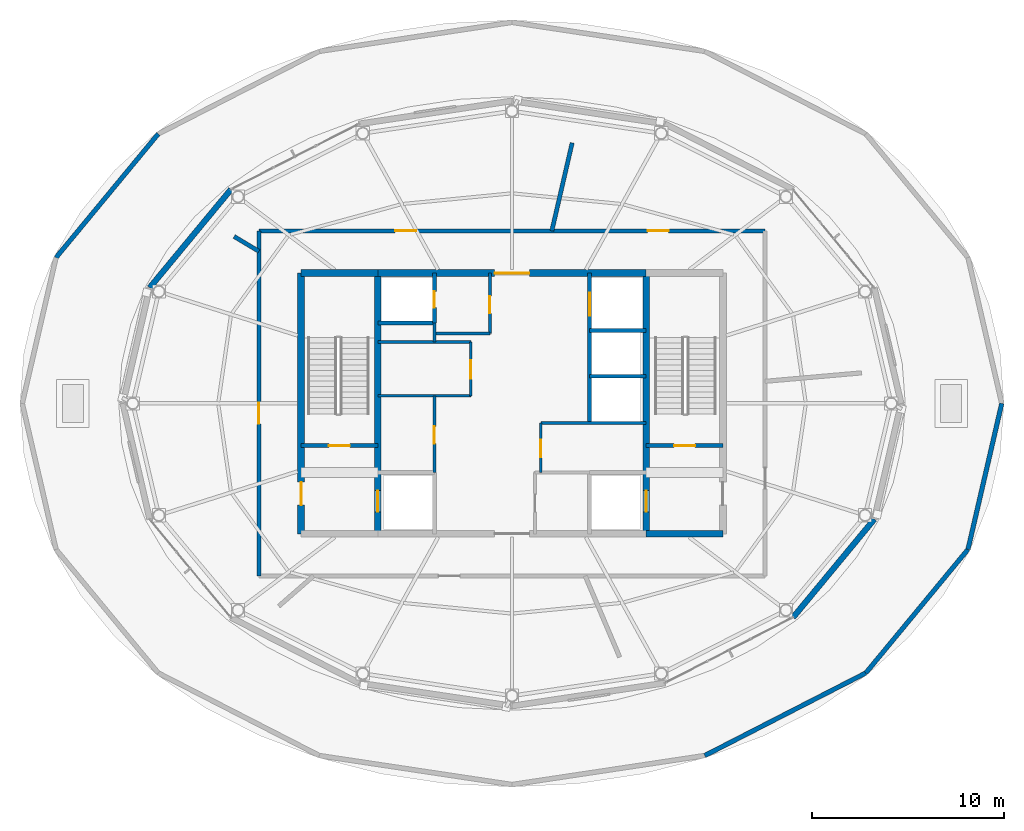
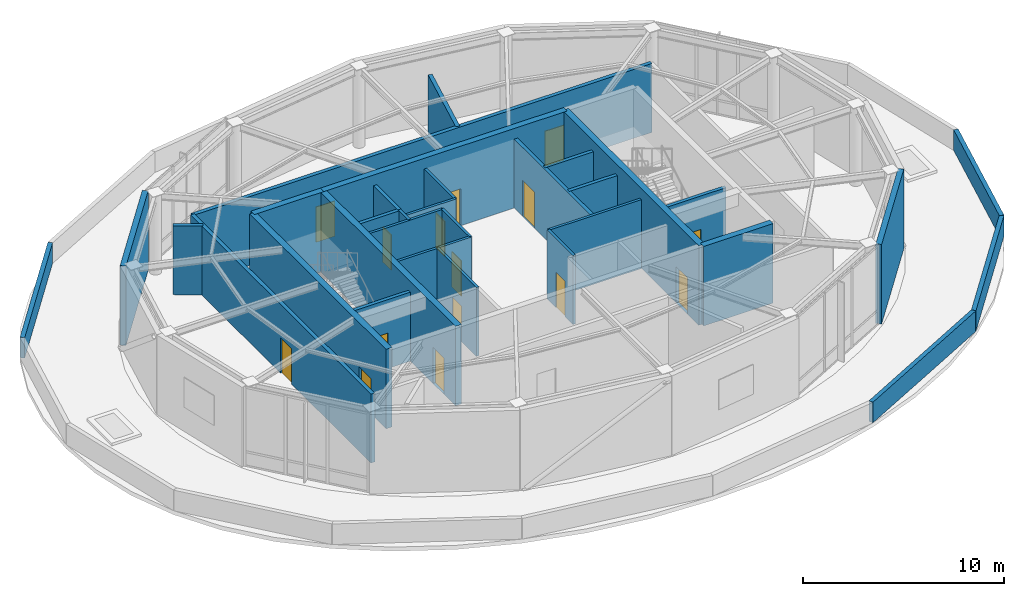
# One storey, part 13 of 15: 32 walls, 15 doors, 15 openings.
"""IFC4 building model written with IfcOpenShell, lengths in metres."""

from ifc_helpers import new_model, si_unit, direction, frame, frame_2d, origin, place, context, subcontext, project, spatial, rectangle, extrude, material, layer, layer_set, type_object, element, fill, save


model = new_model("IFC4")

# Units and contexts
model_context = context("Model", 3, precision=1e-05, world=origin(), true_north=direction((0.0, 1.0)))
body_context = subcontext(model_context, "Body", "Model", "MODEL_VIEW")
ifc_project = project(units=[si_unit("LENGTHUNIT", "METRE"), si_unit("AREAUNIT", "SQUARE_METRE"), si_unit("VOLUMEUNIT", "CUBIC_METRE"), si_unit("PLANEANGLEUNIT", "RADIAN"), si_unit("MASSUNIT", "GRAM", prefix="KILO")], contexts=[model_context])

# Site, building, storey
site_placement = place(None, origin())
site = spatial("IfcSite", under=ifc_project, at=site_placement, CompositionType="ELEMENT")
building_placement = place(site_placement, origin())
building = spatial("IfcBuilding", under=site, at=building_placement, Name="Sarneth Arch Tower", CompositionType="ELEMENT")
storey_placement = place(building_placement, frame((0.0, 0.0, 316.5)))
storey = spatial("IfcBuildingStorey", under=building, at=storey_placement, Name="L82", CompositionType="ELEMENT", Elevation=316.5)

# Walls
ifc_material_1 = material(Name="Concrete C50/60", Category="concrete")
ifc_layer_1 = layer(ifc_material_1, 0.35009765625)
ifc_layer_set_1 = layer_set([ifc_layer_1], Name="Concrete C50/60")
wall_type_1 = type_object("IfcWallType", Name="WALL-CORE-350", PredefinedType="SHEAR", material=ifc_layer_set_1)
for number, where, z_axis, x_axis, name in (
    (1, (55.0, 35.199951171875, 0.0), (0.0, 0.0, 1.0), (1.0, 0.0, 0.0), "L82 Core shear wall S-E"),
    (2, (37.0, 48.800048828125, 0.0), (0.0, 0.0, 1.0), (1.0, 0.0, 0.0), "L82 Core shear wall N-W"),
):
    element("IfcWall", number, at=place(storey_placement, frame(where, z_axis=z_axis, x_axis=x_axis)), inside=storey, type_object=wall_type_1, Name=name, PredefinedType="SHEAR", context=body_context, shape_type="SweptSolid", body=[
        extrude(rectangle(XDim=4.0, YDim=0.35009765625, at=frame_2d((2.0, 0.0))), origin(), (0.0, 0.0, 1.0), 4.840087890625),
    ])

# Wall, opening, door
wall_1_placement = place(storey_placement, frame((41.0, 48.800048828125, 0.0), z_axis=(0.0, 0.0, 1.0), x_axis=(1.0, 0.0, 0.0)))
wall_1 = element("IfcWall", 3, at=wall_1_placement, inside=storey, type_object=wall_type_1, Name="L82 Core shear wall N-M", PredefinedType="SHEAR", context=body_context, shape_type="SweptSolid", body=[
    extrude(rectangle(XDim=14.0, YDim=0.35009765625, at=frame_2d((7.0, 0.0))), origin(), (0.0, 0.0, 1.0), 4.840087890625),
])
opening_1_placement = place(wall_1_placement, frame((6.10009765625, 0.0, 0.0)))
opening_1 = element("IfcOpeningElement", 4, at=opening_1_placement, cuts=wall_1, Name="Opening FD-01", PredefinedType="OPENING", context=body_context, shape_type="SweptSolid", body=[
    extrude(rectangle(XDim=1.800048828125, YDim=2.25, at=frame_2d((0.89990234375, 1.125))), frame((0.0, 0.18505859375, 0.0), z_axis=(0.0, -1.0, 0.0), x_axis=(1.0, 0.0, 0.0)), (0.0, 0.0, 1.0), 0.3701171875),
])
ifc_material_2 = material(Name="Galvanised Steel S275 fire door set", Category="steel")
door_type_1 = type_object("IfcDoorType", Name="DR-FD90-1800", OperationType="DOUBLE_DOOR_SINGLE_SWING", PredefinedType="DOOR", material=ifc_material_2)
door_1_placement = place(opening_1_placement, origin())
door_1 = element("IfcDoor", 5, at=door_1_placement, inside=storey, type_object=door_type_1, Name="L82 Central lift lobby north door", OperationType="DOUBLE_DOOR_SINGLE_SWING", OverallHeight=2.25, OverallWidth=1.800048828125, PredefinedType="DOOR", context=body_context, shape_type="SweptSolid", body=[
    extrude(rectangle(XDim=1.800048828125, YDim=2.25, at=frame_2d((0.89990234375, 1.125))), frame((0.0, 0.02490234375, 0.0), z_axis=(0.0, -1.0, 0.0), x_axis=(1.0, 0.0, 0.0)), (0.0, 0.0, 1.0), 0.050048828125),
])
fill(opening_1, door_1)

wall_2_placement = place(storey_placement, frame((37.0, 35.199951171875, 0.0), z_axis=(0.0, 0.0, 1.0), x_axis=(0.0, 1.0, 0.0)))
wall_2 = element("IfcWall", 6, at=wall_2_placement, inside=storey, type_object=wall_type_1, Name="L82 Core shear wall W", PredefinedType="SHEAR", context=body_context, shape_type="SweptSolid", body=[
    extrude(rectangle(XDim=13.60009765625, YDim=0.35009765625, at=frame_2d((6.800048828125, 0.0))), origin(), (0.0, 0.0, 1.0), 4.840087890625),
])
opening_2_placement = place(wall_2_placement, frame((1.5, 0.0, 0.0)))
opening_2 = element("IfcOpeningElement", 7, at=opening_2_placement, cuts=wall_2, Name="Opening FD-02", PredefinedType="OPENING", context=body_context, shape_type="SweptSolid", body=[
    extrude(rectangle(XDim=1.199951171875, YDim=2.14990234375, at=frame_2d((0.60009765625, 1.074951171875))), frame((0.0, 0.18505859375, 0.0), z_axis=(0.0, -1.0, 0.0), x_axis=(1.0, 0.0, 0.0)), (0.0, 0.0, 1.0), 0.3701171875),
])
ifc_material_3 = material(Name="Galvanised Steel S275 fire door set", Category="steel")
door_type_2 = type_object("IfcDoorType", Name="DR-FD90-1200", OperationType="SINGLE_SWING_LEFT", PredefinedType="DOOR", material=ifc_material_3)
door_2_placement = place(opening_2_placement, origin())
door_2 = element("IfcDoor", 8, at=door_2_placement, inside=storey, type_object=door_type_2, Name="L82 Firefighting lobby 1 exit door", OperationType="SINGLE_SWING_LEFT", OverallHeight=2.14990234375, OverallWidth=1.199951171875, PredefinedType="DOOR", context=body_context, shape_type="SweptSolid", body=[
    extrude(rectangle(XDim=1.199951171875, YDim=2.14990234375, at=frame_2d((0.60009765625, 1.074951171875))), frame((0.0, 0.02490234375, 0.0), z_axis=(0.0, -1.0, 0.0), x_axis=(1.0, 0.0, 0.0)), (0.0, 0.0, 1.0), 0.050048828125),
])
fill(opening_2, door_2)

wall_3_placement = place(storey_placement, frame((41.0, 35.199951171875, 0.0), z_axis=(0.0, 0.0, 1.0), x_axis=(0.0, 1.0, 0.0)))
wall_3 = element("IfcWall", 9, at=wall_3_placement, inside=storey, type_object=wall_type_1, Name="L82 Core shear wall WEB-W", PredefinedType="SHEAR", context=body_context, shape_type="SweptSolid", body=[
    extrude(rectangle(XDim=13.60009765625, YDim=0.35009765625, at=frame_2d((6.800048828125, 0.0))), origin(), (0.0, 0.0, 1.0), 4.840087890625),
])
opening_3_placement = place(wall_3_placement, frame((1.14990234375, 0.0, 0.0)))
opening_3 = element("IfcOpeningElement", 10, at=opening_3_placement, cuts=wall_3, Name="Opening LD-1", PredefinedType="OPENING", context=body_context, shape_type="SweptSolid", body=[
    extrude(rectangle(XDim=1.10009765625, YDim=2.199951171875, at=frame_2d((0.550048828125, 1.10009765625))), frame((0.0, 0.18505859375, 0.0), z_axis=(0.0, -1.0, 0.0), x_axis=(1.0, 0.0, 0.0)), (0.0, 0.0, 1.0), 0.3701171875),
])
ifc_material_4 = material(Name="Brushed Stainless Steel 304 lift landing door", Category="steel")
door_type_3 = type_object("IfcDoorType", Name="DR-LIFT-SLIDE-1100", OperationType="SLIDING_TO_LEFT", PredefinedType="DOOR", material=ifc_material_4)
door_3_placement = place(opening_3_placement, origin())
door_3 = element("IfcDoor", 11, at=door_3_placement, inside=storey, type_object=door_type_3, Name="L82 Firefighting lift landing door FL-1", OperationType="SLIDING_TO_LEFT", OverallHeight=2.199951171875, OverallWidth=1.10009765625, PredefinedType="DOOR", context=body_context, shape_type="SweptSolid", body=[
    extrude(rectangle(XDim=1.10009765625, YDim=2.199951171875, at=frame_2d((0.550048828125, 1.10009765625))), frame((0.0, 0.02490234375, 0.0), z_axis=(0.0, -1.0, 0.0), x_axis=(1.0, 0.0, 0.0)), (0.0, 0.0, 1.0), 0.050048828125),
])
fill(opening_3, door_3)

wall_4_placement = place(storey_placement, frame((55.0, 35.199951171875, 0.0), z_axis=(0.0, 0.0, 1.0), x_axis=(0.0, 1.0, 0.0)))
wall_4 = element("IfcWall", 12, at=wall_4_placement, inside=storey, type_object=wall_type_1, Name="L82 Core shear wall WEB-E", PredefinedType="SHEAR", context=body_context, shape_type="SweptSolid", body=[
    extrude(rectangle(XDim=13.60009765625, YDim=0.35009765625, at=frame_2d((6.800048828125, 0.0))), origin(), (0.0, 0.0, 1.0), 4.840087890625),
])
opening_4_placement = place(wall_4_placement, frame((1.14990234375, 0.0, 0.0)))
opening_4 = element("IfcOpeningElement", 13, at=opening_4_placement, cuts=wall_4, Name="Opening LD-1", PredefinedType="OPENING", context=body_context, shape_type="SweptSolid", body=[
    extrude(rectangle(XDim=1.10009765625, YDim=2.199951171875, at=frame_2d((0.550048828125, 1.10009765625))), frame((0.0, 0.18505859375, 0.0), z_axis=(0.0, -1.0, 0.0), x_axis=(1.0, 0.0, 0.0)), (0.0, 0.0, 1.0), 0.3701171875),
])
door_4_placement = place(opening_4_placement, origin())
door_4 = element("IfcDoor", 14, at=door_4_placement, inside=storey, type_object=door_type_3, Name="L82 Firefighting lift landing door FL-2", OperationType="SLIDING_TO_RIGHT", OverallHeight=2.199951171875, OverallWidth=1.10009765625, PredefinedType="DOOR", context=body_context, shape_type="SweptSolid", body=[
    extrude(rectangle(XDim=1.10009765625, YDim=2.199951171875, at=frame_2d((0.550048828125, 1.10009765625))), frame((0.0, 0.02490234375, 0.0), z_axis=(0.0, -1.0, 0.0), x_axis=(1.0, 0.0, 0.0)), (0.0, 0.0, 1.0), 0.050048828125),
])
fill(opening_4, door_4)

# Walls
ifc_material_5 = material(Name="Extruded terracotta rainscreen on Concrete C40/50 backing", Category="masonry")
ifc_layer_2 = layer(ifc_material_5, 0.300048828125)
ifc_layer_set_2 = layer_set([ifc_layer_2], Name="Extruded terracotta rainscreen on Concrete C40/50 backing")
wall_type_2 = type_object("IfcWallType", Name="WALL-EXT-ACOUST-300", PredefinedType="SOLIDWALL", material=ifc_layer_set_2)
for number, where, z_axis, x_axis, name in (
    (15, (33.3388671875, 53.158203125, 0.0), (0.0, 0.0, 1.0), (-0.637488001771, -0.770460282947, 0.0), "L82 Terracotta perimeter wall 07"),
    (16, (62.6611328125, 30.841796875, 0.0), (0.0, 0.0, 1.0), (0.637488001771, 0.770460282947, 0.0), "L82 Terracotta perimeter wall 15"),
):
    element("IfcWall", number, at=place(storey_placement, frame(where, z_axis=z_axis, x_axis=x_axis)), inside=storey, type_object=wall_type_2, Name=name, PredefinedType="SOLIDWALL", context=body_context, shape_type="SweptSolid", body=[
        extrude(rectangle(XDim=6.64453125, YDim=0.300048828125, at=frame_2d((3.322265625, 0.0))), origin(), (0.0, 0.0, 1.0), 4.840087890625),
    ])

# Wall, opening, door
ifc_material_6 = material(Name="Aerated concrete blockwork C25/30", Category="masonry")
ifc_layer_3 = layer(ifc_material_6, 0.219970703125)
ifc_layer_set_3 = layer_set([ifc_layer_3], Name="Aerated concrete blockwork C25/30")
wall_type_3 = type_object("IfcWallType", Name="WALL-FIRE-220", PredefinedType="SOLIDWALL", material=ifc_layer_set_3)
wall_5_placement = place(storey_placement, frame((34.800048828125, 33.0, 0.0), z_axis=(0.0, 0.0, 1.0), x_axis=(0.0, 1.0, 0.0)))
wall_5 = element("IfcWall", 17, at=wall_5_placement, inside=storey, type_object=wall_type_3, Name="L82 Interior partition W-L82-TP-006", PredefinedType="SOLIDWALL", context=body_context, shape_type="SweptSolid", body=[
    extrude(rectangle(XDim=18.0, YDim=0.219970703125, at=frame_2d((9.0, 0.0))), origin(), (0.0, 0.0, 1.0), 4.18994140625),
])
opening_5_placement = place(wall_5_placement, frame((7.934326171875, 0.0, 0.0)))
opening_5 = element("IfcOpeningElement", 18, at=opening_5_placement, cuts=wall_5, Name="Opening FD-03", PredefinedType="OPENING", context=body_context, shape_type="SweptSolid", body=[
    extrude(rectangle(XDim=1.10009765625, YDim=2.14990234375, at=frame_2d((0.550048828125, 1.074951171875))), frame((0.0, 0.119873046875, 0.0), z_axis=(0.0, -1.0, 0.0), x_axis=(1.0, 0.0, 0.0)), (0.0, 0.0, 1.0), 0.239990234375),
])
ifc_material_7 = material(Name="Galvanised Steel S275 fire door set", Category="steel")
door_type_4 = type_object("IfcDoorType", Name="DR-FD90-1100", OperationType="SINGLE_SWING_LEFT", PredefinedType="DOOR", material=ifc_material_7)
door_5_placement = place(opening_5_placement, origin())
door_5 = element("IfcDoor", 19, at=door_5_placement, inside=storey, type_object=door_type_4, Name="L82 Interior door DR-L82-PSEC-3", OperationType="SINGLE_SWING_LEFT", OverallHeight=2.14990234375, OverallWidth=1.10009765625, PredefinedType="DOOR", context=body_context, shape_type="SweptSolid", body=[
    extrude(rectangle(XDim=1.10009765625, YDim=2.14990234375, at=frame_2d((0.550048828125, 1.074951171875))), frame((0.0, 0.02490234375, 0.0), z_axis=(0.0, -1.0, 0.0), x_axis=(1.0, 0.0, 0.0)), (0.0, 0.0, 1.0), 0.050048828125),
])
fill(opening_5, door_5)

# Wall, openings, doors
wall_6_placement = place(storey_placement, frame((34.800048828125, 51.0, 0.0), z_axis=(0.0, 0.0, 1.0), x_axis=(1.0, 0.0, 0.0)))
wall_6 = element("IfcWall", 20, at=wall_6_placement, inside=storey, type_object=wall_type_3, Name="L82 Interior partition W-L82-TP-004", PredefinedType="SOLIDWALL", context=body_context, shape_type="SweptSolid", body=[
    extrude(rectangle(XDim=26.39990234375, YDim=0.219970703125, at=frame_2d((13.199951171875, 0.0))), origin(), (0.0, 0.0, 1.0), 4.18994140625),
])
opening_6_placement = place(wall_6_placement, frame((7.105224609375, 0.0, 0.0)))
opening_6 = element("IfcOpeningElement", 21, at=opening_6_placement, cuts=wall_6, Name="Opening FD-03", PredefinedType="OPENING", context=body_context, shape_type="SweptSolid", body=[
    extrude(rectangle(XDim=1.10009765625, YDim=2.14990234375, at=frame_2d((0.550048828125, 1.074951171875))), frame((0.0, 0.119873046875, 0.0), z_axis=(0.0, -1.0, 0.0), x_axis=(1.0, 0.0, 0.0)), (0.0, 0.0, 1.0), 0.239990234375),
])
opening_7_placement = place(wall_6_placement, frame((20.2724609375, 0.0, 0.0)))
opening_7 = element("IfcOpeningElement", 22, at=opening_7_placement, cuts=wall_6, Name="Opening FD-03", PredefinedType="OPENING", context=body_context, shape_type="SweptSolid", body=[
    extrude(rectangle(XDim=1.10009765625, YDim=2.14990234375, at=frame_2d((0.550048828125, 1.074951171875))), frame((0.0, 0.119873046875, 0.0), z_axis=(0.0, -1.0, 0.0), x_axis=(1.0, 0.0, 0.0)), (0.0, 0.0, 1.0), 0.239990234375),
])
door_6_placement = place(opening_6_placement, origin())
door_6 = element("IfcDoor", 23, at=door_6_placement, inside=storey, type_object=door_type_4, Name="L82 Interior door DR-L82-PSEC-2", OperationType="SINGLE_SWING_LEFT", OverallHeight=2.14990234375, OverallWidth=1.10009765625, PredefinedType="DOOR", context=body_context, shape_type="SweptSolid", body=[
    extrude(rectangle(XDim=1.10009765625, YDim=2.14990234375, at=frame_2d((0.550048828125, 1.074951171875))), frame((0.0, 0.02490234375, 0.0), z_axis=(0.0, -1.0, 0.0), x_axis=(1.0, 0.0, 0.0)), (0.0, 0.0, 1.0), 0.050048828125),
])
fill(opening_6, door_6)
door_7_placement = place(opening_7_placement, origin())
door_7 = element("IfcDoor", 24, at=door_7_placement, inside=storey, type_object=door_type_4, Name="L82 Interior door DR-L82-PSEC-1", OperationType="SINGLE_SWING_LEFT", OverallHeight=2.14990234375, OverallWidth=1.10009765625, PredefinedType="DOOR", context=body_context, shape_type="SweptSolid", body=[
    extrude(rectangle(XDim=1.10009765625, YDim=2.14990234375, at=frame_2d((0.550048828125, 1.074951171875))), frame((0.0, 0.02490234375, 0.0), z_axis=(0.0, -1.0, 0.0), x_axis=(1.0, 0.0, 0.0)), (0.0, 0.0, 1.0), 0.050048828125),
])
fill(opening_7, door_7)

# Walls
wall_7_placement = place(storey_placement, frame((51.137939453125, 55.591796875, 0.0), z_axis=(0.0, 0.0, 1.0), x_axis=(-0.224942745137, -0.97437198308, 0.0)))
element("IfcWall", 25, at=wall_7_placement, inside=storey, type_object=wall_type_3, Name="L82 Interior partition W-L82-TP-010", PredefinedType="SOLIDWALL", context=body_context, shape_type="SweptSolid", body=[
    extrude(rectangle(XDim=4.712646484375, YDim=0.219970703125, at=frame_2d((2.3564453125, 0.0))), origin(), (0.0, 0.0, 1.0), 4.18994140625),
])
wall_8_placement = place(storey_placement, frame((34.800048828125, 49.931396484375, 0.0), z_axis=(0.0, 0.0, 1.0), x_axis=(-0.857192699065, 0.514995802575, 0.0)))
element("IfcWall", 26, at=wall_8_placement, inside=storey, type_object=wall_type_3, Name="L82 Interior partition W-L82-TP-012", PredefinedType="SOLIDWALL", context=body_context, shape_type="SweptSolid", body=[
    extrude(rectangle(XDim=1.507568359375, YDim=0.219970703125, at=frame_2d((0.75390625, 0.0))), origin(), (0.0, 0.0, 1.0), 4.18994140625),
])
ifc_material_8 = material(Name="Extruded terracotta rainscreen on Concrete C40/50 backing", Category="masonry")
ifc_layer_4 = layer(ifc_material_8, 0.239990234375)
ifc_layer_set_4 = layer_set([ifc_layer_4], Name="Extruded terracotta rainscreen on Concrete C40/50 backing")
wall_type_4 = type_object("IfcWallType", Name="WALL-PARAPET-240", PredefinedType="PARAPET", material=ifc_layer_set_4)
wall_9_placement = place(storey_placement, frame((29.54736328125, 56.057373046875, 0.0), z_axis=(0.0, 0.0, 1.0), x_axis=(-0.637131731546, -0.770754926457, 0.0)))
element("IfcWall", 27, at=wall_9_placement, inside=storey, type_object=wall_type_4, Name="L82 Setback roof parapet 07", PredefinedType="PARAPET", context=body_context, shape_type="SweptSolid", body=[
    extrude(rectangle(XDim=8.367919921875, YDim=0.239990234375, at=frame_2d((4.18408203125, 0.0))), origin(), (0.0, 0.0, 1.0), 1.25),
])
wall_10_placement = place(storey_placement, frame((58.05078125, 23.63330078125, 0.0), z_axis=(0.0, 0.0, 1.0), x_axis=(0.88978811959, 0.456373862349, 0.0)))
element("IfcWall", 28, at=wall_10_placement, inside=storey, type_object=wall_type_4, Name="L82 Setback roof parapet 14", PredefinedType="PARAPET", context=body_context, shape_type="SweptSolid", body=[
    extrude(rectangle(XDim=9.442626953125, YDim=0.239990234375, at=frame_2d((4.72119140625, 0.0))), origin(), (0.0, 0.0, 1.0), 1.25),
])
wall_11_placement = place(storey_placement, frame((66.45263671875, 27.942626953125, 0.0), z_axis=(0.0, 0.0, 1.0), x_axis=(0.637131731546, 0.770754926457, 0.0)))
element("IfcWall", 29, at=wall_11_placement, inside=storey, type_object=wall_type_4, Name="L82 Setback roof parapet 15", PredefinedType="PARAPET", context=body_context, shape_type="SweptSolid", body=[
    extrude(rectangle(XDim=8.367919921875, YDim=0.239990234375, at=frame_2d((4.18408203125, 0.0))), origin(), (0.0, 0.0, 1.0), 1.25),
])
wall_12_placement = place(storey_placement, frame((71.7841796875, 34.392333984375, 0.0), z_axis=(0.0, 0.0, 1.0), x_axis=(0.22539379869, 0.974267743237, 0.0)))
element("IfcWall", 30, at=wall_12_placement, inside=storey, type_object=wall_type_4, Name="L82 Setback roof parapet 16", PredefinedType="PARAPET", context=body_context, shape_type="SweptSolid", body=[
    extrude(rectangle(XDim=7.80859375, YDim=0.239990234375, at=frame_2d((3.904296875, 0.0))), origin(), (0.0, 0.0, 1.0), 1.25),
])

# Wall, opening, door
ifc_material_9 = material(Name="Acoustic gypsum stud partition", Category="gypsum")
ifc_layer_5 = layer(ifc_material_9, 0.14990234375)
ifc_layer_set_5 = layer_set([ifc_layer_5], Name="Acoustic gypsum stud partition")
wall_type_5 = type_object("IfcWallType", Name="WALL-PART-150", PredefinedType="PARTITIONING", material=ifc_layer_set_5)
wall_13_placement = place(storey_placement, frame((43.949951171875, 38.39990234375, 0.0), z_axis=(0.0, 0.0, 1.0), x_axis=(0.0, 1.0, 0.0)))
wall_13 = element("IfcWall", 31, at=wall_13_placement, inside=storey, type_object=wall_type_5, Name="L82 Interior partition W-L82-RECPL-E", PredefinedType="PARTITIONING", context=body_context, shape_type="SweptSolid", body=[
    extrude(rectangle(XDim=4.0, YDim=0.14990234375, at=frame_2d((2.0, 0.0))), origin(), (0.0, 0.0, 1.0), 4.18994140625),
])
opening_8_placement = place(wall_13_placement, frame((1.5, 0.0, 0.0)))
opening_8 = element("IfcOpeningElement", 32, at=opening_8_placement, cuts=wall_13, Name="Opening FD-10", PredefinedType="OPENING", context=body_context, shape_type="SweptSolid", body=[
    extrude(rectangle(XDim=0.89990234375, YDim=2.14990234375, at=frame_2d((0.449951171875, 1.074951171875))), frame((0.0, 0.0849609375, 0.0), z_axis=(0.0, -1.0, 0.0), x_axis=(1.0, 0.0, 0.0)), (0.0, 0.0, 1.0), 0.169921875),
])
ifc_material_10 = material(Name="Galvanised Steel S275 riser/service fire door", Category="steel")
door_type_5 = type_object("IfcDoorType", Name="DR-FD60-900", OperationType="SINGLE_SWING_LEFT", PredefinedType="DOOR", material=ifc_material_10)
door_8_placement = place(opening_8_placement, origin())
door_8 = element("IfcDoor", 33, at=door_8_placement, inside=storey, type_object=door_type_5, Name="L82 Interior door DR-L82-RECPL", OperationType="SINGLE_SWING_LEFT", OverallHeight=2.14990234375, OverallWidth=0.89990234375, PredefinedType="DOOR", context=body_context, shape_type="SweptSolid", body=[
    extrude(rectangle(XDim=0.89990234375, YDim=2.14990234375, at=frame_2d((0.449951171875, 1.074951171875))), frame((0.0, 0.02490234375, 0.0), z_axis=(0.0, -1.0, 0.0), x_axis=(1.0, 0.0, 0.0)), (0.0, 0.0, 1.0), 0.050048828125),
])
fill(opening_8, door_8)

# Walls
for number, where, z_axis, x_axis, name in (
    (34, (41.0, 42.39990234375, 0.0), (0.0, 0.0, 1.0), (1.0, 0.0, 0.0), "L82 Interior partition W-L82-RECPM1-S"),
    (35, (41.0, 45.199951171875, 0.0), (0.0, 0.0, 1.0), (1.0, 0.0, 0.0), "L82 Interior partition W-L82-RECPM1-N"),
):
    element("IfcWall", number, at=place(storey_placement, frame(where, z_axis=z_axis, x_axis=x_axis)), inside=storey, type_object=wall_type_5, Name=name, PredefinedType="PARTITIONING", context=body_context, shape_type="SweptSolid", body=[
        extrude(rectangle(XDim=4.85009765625, YDim=0.14990234375, at=frame_2d((2.425048828125, 0.0))), origin(), (0.0, 0.0, 1.0), 4.18994140625),
    ])
wall_14_placement = place(storey_placement, frame((43.949951171875, 45.199951171875, 0.0), z_axis=(0.0, 0.0, 1.0), x_axis=(0.0, 1.0, 0.0)))
element("IfcWall", 36, at=wall_14_placement, inside=storey, type_object=wall_type_5, Name="L82 Interior partition W-L82-RECPM1-W2", PredefinedType="PARTITIONING", context=body_context, shape_type="SweptSolid", body=[
    extrude(rectangle(XDim=1.0, YDim=0.14990234375, at=frame_2d((0.5, 0.0))), origin(), (0.0, 0.0, 1.0), 4.18994140625),
])

# Wall, opening, door
wall_15_placement = place(storey_placement, frame((45.85009765625, 42.39990234375, 0.0), z_axis=(0.0, 0.0, 1.0), x_axis=(0.0, 1.0, 0.0)))
wall_15 = element("IfcWall", 37, at=wall_15_placement, inside=storey, type_object=wall_type_5, Name="L82 Interior partition W-L82-RECPM1-E", PredefinedType="PARTITIONING", context=body_context, shape_type="SweptSolid", body=[
    extrude(rectangle(XDim=2.800048828125, YDim=0.14990234375, at=frame_2d((1.39990234375, 0.0))), origin(), (0.0, 0.0, 1.0), 4.18994140625),
])
opening_9_placement = place(wall_15_placement, frame((0.89990234375, 0.0, 0.0)))
opening_9 = element("IfcOpeningElement", 38, at=opening_9_placement, cuts=wall_15, Name="Opening FD-09", PredefinedType="OPENING", context=body_context, shape_type="SweptSolid", body=[
    extrude(rectangle(XDim=0.949951171875, YDim=2.14990234375, at=frame_2d((0.47509765625, 1.074951171875))), frame((0.0, 0.0849609375, 0.0), z_axis=(0.0, -1.0, 0.0), x_axis=(1.0, 0.0, 0.0)), (0.0, 0.0, 1.0), 0.169921875),
])
ifc_material_11 = material(Name="Hardwood timber hotel entrance fire door", Category="wood")
door_type_6 = type_object("IfcDoorType", Name="DR-FD60-950", OperationType="SINGLE_SWING_RIGHT", PredefinedType="DOOR", material=ifc_material_11)
door_9_placement = place(opening_9_placement, origin())
door_9 = element("IfcDoor", 39, at=door_9_placement, inside=storey, type_object=door_type_6, Name="L82 Interior door DR-L82-RECPM1", OperationType="SINGLE_SWING_RIGHT", OverallHeight=2.14990234375, OverallWidth=0.949951171875, PredefinedType="DOOR", context=body_context, shape_type="SweptSolid", body=[
    extrude(rectangle(XDim=0.949951171875, YDim=2.14990234375, at=frame_2d((0.47509765625, 1.074951171875))), frame((0.0, 0.02490234375, 0.0), z_axis=(0.0, -1.0, 0.0), x_axis=(1.0, 0.0, 0.0)), (0.0, 0.0, 1.0), 0.050048828125),
])
fill(opening_9, door_9)

# Wall
wall_16_placement = place(storey_placement, frame((49.5, 40.97998046875, 0.0), z_axis=(0.0, 0.0, 1.0), x_axis=(1.0, 0.0, 0.0)))
element("IfcWall", 40, at=wall_16_placement, inside=storey, type_object=wall_type_5, Name="L82 Interior partition W-L82-RECPM2-N", PredefinedType="PARTITIONING", context=body_context, shape_type="SweptSolid", body=[
    extrude(rectangle(XDim=5.5, YDim=0.14990234375, at=frame_2d((2.75, 0.0))), origin(), (0.0, 0.0, 1.0), 4.18994140625),
])

# Wall, opening, door
wall_17_placement = place(storey_placement, frame((49.5, 38.39990234375, 0.0), z_axis=(0.0, 0.0, 1.0), x_axis=(0.0, 1.0, 0.0)))
wall_17 = element("IfcWall", 41, at=wall_17_placement, inside=storey, type_object=wall_type_5, Name="L82 Interior partition W-L82-RECPM2-W", PredefinedType="PARTITIONING", context=body_context, shape_type="SweptSolid", body=[
    extrude(rectangle(XDim=2.580078125, YDim=0.14990234375, at=frame_2d((1.2900390625, 0.0))), origin(), (0.0, 0.0, 1.0), 4.18994140625),
])
opening_10_placement = place(wall_17_placement, frame((0.800048828125, 0.0, 0.0)))
opening_10 = element("IfcOpeningElement", 42, at=opening_10_placement, cuts=wall_17, Name="Opening FD-10", PredefinedType="OPENING", context=body_context, shape_type="SweptSolid", body=[
    extrude(rectangle(XDim=0.89990234375, YDim=2.14990234375, at=frame_2d((0.449951171875, 1.074951171875))), frame((0.0, 0.0849609375, 0.0), z_axis=(0.0, -1.0, 0.0), x_axis=(1.0, 0.0, 0.0)), (0.0, 0.0, 1.0), 0.169921875),
])
door_10_placement = place(opening_10_placement, origin())
door_10 = element("IfcDoor", 43, at=door_10_placement, inside=storey, type_object=door_type_5, Name="L82 Interior door DR-L82-RECPM2", OperationType="SINGLE_SWING_LEFT", OverallHeight=2.14990234375, OverallWidth=0.89990234375, PredefinedType="DOOR", context=body_context, shape_type="SweptSolid", body=[
    extrude(rectangle(XDim=0.89990234375, YDim=2.14990234375, at=frame_2d((0.449951171875, 1.074951171875))), frame((0.0, 0.02490234375, 0.0), z_axis=(0.0, -1.0, 0.0), x_axis=(1.0, 0.0, 0.0)), (0.0, 0.0, 1.0), 0.050048828125),
])
fill(opening_10, door_10)

# Wall
wall_18_placement = place(storey_placement, frame((43.949951171875, 45.64990234375, 0.0), z_axis=(0.0, 0.0, 1.0), x_axis=(1.0, 0.0, 0.0)))
element("IfcWall", 44, at=wall_18_placement, inside=storey, type_object=wall_type_5, Name="L82 Interior partition W-L82-CSUP1-S", PredefinedType="PARTITIONING", context=body_context, shape_type="SweptSolid", body=[
    extrude(rectangle(XDim=2.900146484375, YDim=0.14990234375, at=frame_2d((1.4501953125, 0.0))), origin(), (0.0, 0.0, 1.0), 4.18994140625),
])

# Wall, opening, door
wall_19_placement = place(storey_placement, frame((46.85009765625, 45.64990234375, 0.0), z_axis=(0.0, 0.0, 1.0), x_axis=(0.0, 1.0, 0.0)))
wall_19 = element("IfcWall", 45, at=wall_19_placement, inside=storey, type_object=wall_type_5, Name="L82 Interior partition W-L82-CSUP1-E", PredefinedType="PARTITIONING", context=body_context, shape_type="SweptSolid", body=[
    extrude(rectangle(XDim=3.150146484375, YDim=0.14990234375, at=frame_2d((1.5751953125, 0.0))), origin(), (0.0, 0.0, 1.0), 4.18994140625),
])
opening_11_placement = place(wall_19_placement, frame((1.050048828125, 0.0, 0.0)))
opening_11 = element("IfcOpeningElement", 46, at=opening_11_placement, cuts=wall_19, Name="Opening FD-10", PredefinedType="OPENING", context=body_context, shape_type="SweptSolid", body=[
    extrude(rectangle(XDim=0.89990234375, YDim=2.14990234375, at=frame_2d((0.449951171875, 1.074951171875))), frame((0.0, 0.0849609375, 0.0), z_axis=(0.0, -1.0, 0.0), x_axis=(1.0, 0.0, 0.0)), (0.0, 0.0, 1.0), 0.169921875),
])
door_11_placement = place(opening_11_placement, origin())
door_11 = element("IfcDoor", 47, at=door_11_placement, inside=storey, type_object=door_type_5, Name="L82 Interior door DR-L82-CSUP1", OperationType="SINGLE_SWING_LEFT", OverallHeight=2.14990234375, OverallWidth=0.89990234375, PredefinedType="DOOR", context=body_context, shape_type="SweptSolid", body=[
    extrude(rectangle(XDim=0.89990234375, YDim=2.14990234375, at=frame_2d((0.449951171875, 1.074951171875))), frame((0.0, 0.02490234375, 0.0), z_axis=(0.0, -1.0, 0.0), x_axis=(1.0, 0.0, 0.0)), (0.0, 0.0, 1.0), 0.050048828125),
])
fill(opening_11, door_11)

ifc_material_12 = material(Name="Aerated concrete blockwork C25/30", Category="masonry")
ifc_layer_6 = layer(ifc_material_12, 0.199951171875)
ifc_layer_set_6 = layer_set([ifc_layer_6], Name="Aerated concrete blockwork C25/30")
wall_type_6 = type_object("IfcWallType", Name="WALL-SHAFT-200", PredefinedType="SOLIDWALL", material=ifc_layer_set_6)
wall_20_placement = place(storey_placement, frame((37.0, 39.800048828125, 0.0), z_axis=(0.0, 0.0, 1.0), x_axis=(1.0, 0.0, 0.0)))
wall_20 = element("IfcWall", 48, at=wall_20_placement, inside=storey, type_object=wall_type_6, Name="L82 Interior partition W-L82-ST1-S", PredefinedType="SOLIDWALL", context=body_context, shape_type="SweptSolid", body=[
    extrude(rectangle(XDim=4.0, YDim=0.199951171875, at=frame_2d((2.0, 0.0))), origin(), (0.0, 0.0, 1.0), 4.18994140625),
])
opening_12_placement = place(wall_20_placement, frame((1.449951171875, 0.0, 0.0)))
opening_12 = element("IfcOpeningElement", 49, at=opening_12_placement, cuts=wall_20, Name="Opening FD-03", PredefinedType="OPENING", context=body_context, shape_type="SweptSolid", body=[
    extrude(rectangle(XDim=1.10009765625, YDim=2.14990234375, at=frame_2d((0.550048828125, 1.074951171875))), frame((0.0, 0.10986328125, 0.0), z_axis=(0.0, -1.0, 0.0), x_axis=(1.0, 0.0, 0.0)), (0.0, 0.0, 1.0), 0.219970703125),
])
door_12_placement = place(opening_12_placement, origin())
door_12 = element("IfcDoor", 50, at=door_12_placement, inside=storey, type_object=door_type_4, Name="L82 Interior door DR-L82-ST1", OperationType="SINGLE_SWING_LEFT", OverallHeight=2.14990234375, OverallWidth=1.10009765625, PredefinedType="DOOR", context=body_context, shape_type="SweptSolid", body=[
    extrude(rectangle(XDim=1.10009765625, YDim=2.14990234375, at=frame_2d((0.550048828125, 1.074951171875))), frame((0.0, 0.02490234375, 0.0), z_axis=(0.0, -1.0, 0.0), x_axis=(1.0, 0.0, 0.0)), (0.0, 0.0, 1.0), 0.050048828125),
])
fill(opening_12, door_12)

wall_21_placement = place(storey_placement, frame((55.0, 39.800048828125, 0.0), z_axis=(0.0, 0.0, 1.0), x_axis=(1.0, 0.0, 0.0)))
wall_21 = element("IfcWall", 51, at=wall_21_placement, inside=storey, type_object=wall_type_6, Name="L82 Interior partition W-L82-ST2-S", PredefinedType="SOLIDWALL", context=body_context, shape_type="SweptSolid", body=[
    extrude(rectangle(XDim=4.0, YDim=0.199951171875, at=frame_2d((2.0, 0.0))), origin(), (0.0, 0.0, 1.0), 4.18994140625),
])
opening_13_placement = place(wall_21_placement, frame((1.449951171875, 0.0, 0.0)))
opening_13 = element("IfcOpeningElement", 52, at=opening_13_placement, cuts=wall_21, Name="Opening FD-03", PredefinedType="OPENING", context=body_context, shape_type="SweptSolid", body=[
    extrude(rectangle(XDim=1.10009765625, YDim=2.14990234375, at=frame_2d((0.550048828125, 1.074951171875))), frame((0.0, 0.10986328125, 0.0), z_axis=(0.0, -1.0, 0.0), x_axis=(1.0, 0.0, 0.0)), (0.0, 0.0, 1.0), 0.219970703125),
])
door_13_placement = place(opening_13_placement, origin())
door_13 = element("IfcDoor", 53, at=door_13_placement, inside=storey, type_object=door_type_4, Name="L82 Interior door DR-L82-ST2", OperationType="SINGLE_SWING_RIGHT", OverallHeight=2.14990234375, OverallWidth=1.10009765625, PredefinedType="DOOR", context=body_context, shape_type="SweptSolid", body=[
    extrude(rectangle(XDim=1.10009765625, YDim=2.14990234375, at=frame_2d((0.550048828125, 1.074951171875))), frame((0.0, 0.02490234375, 0.0), z_axis=(0.0, -1.0, 0.0), x_axis=(1.0, 0.0, 0.0)), (0.0, 0.0, 1.0), 0.050048828125),
])
fill(opening_13, door_13)

# Wall
wall_22_placement = place(storey_placement, frame((41.0, 46.199951171875, 0.0), z_axis=(0.0, 0.0, 1.0), x_axis=(1.0, 0.0, 0.0)))
element("IfcWall", 54, at=wall_22_placement, inside=storey, type_object=wall_type_6, Name="L82 Interior partition W-L82-RISER-S", PredefinedType="SOLIDWALL", context=body_context, shape_type="SweptSolid", body=[
    extrude(rectangle(XDim=2.949951171875, YDim=0.199951171875, at=frame_2d((1.47509765625, 0.0))), origin(), (0.0, 0.0, 1.0), 4.18994140625),
])

# Wall, opening, door
wall_23_placement = place(storey_placement, frame((43.949951171875, 46.199951171875, 0.0), z_axis=(0.0, 0.0, 1.0), x_axis=(0.0, 1.0, 0.0)))
wall_23 = element("IfcWall", 55, at=wall_23_placement, inside=storey, type_object=wall_type_6, Name="L82 Interior partition W-L82-RISER-E", PredefinedType="SOLIDWALL", context=body_context, shape_type="SweptSolid", body=[
    extrude(rectangle(XDim=2.60009765625, YDim=0.199951171875, at=frame_2d((1.300048828125, 0.0))), origin(), (0.0, 0.0, 1.0), 4.18994140625),
])
opening_14_placement = place(wall_23_placement, frame((0.800048828125, 0.0, 0.0)))
opening_14 = element("IfcOpeningElement", 56, at=opening_14_placement, cuts=wall_23, Name="Opening FD-11", PredefinedType="OPENING", context=body_context, shape_type="SweptSolid", body=[
    extrude(rectangle(XDim=0.85009765625, YDim=2.14990234375, at=frame_2d((0.425048828125, 1.074951171875))), frame((0.0, 0.10986328125, 0.0), z_axis=(0.0, -1.0, 0.0), x_axis=(1.0, 0.0, 0.0)), (0.0, 0.0, 1.0), 0.219970703125),
])
ifc_material_13 = material(Name="Galvanised Steel S275 closet fire door", Category="steel")
door_type_7 = type_object("IfcDoorType", Name="DR-FD60-850", OperationType="SINGLE_SWING_LEFT", PredefinedType="DOOR", material=ifc_material_13)
door_14_placement = place(opening_14_placement, origin())
door_14 = element("IfcDoor", 57, at=door_14_placement, inside=storey, type_object=door_type_7, Name="L82 Lift landing door DR-L82-RISER", OperationType="SINGLE_SWING_LEFT", OverallHeight=2.14990234375, OverallWidth=0.85009765625, PredefinedType="DOOR", context=body_context, shape_type="SweptSolid", body=[
    extrude(rectangle(XDim=0.85009765625, YDim=2.14990234375, at=frame_2d((0.425048828125, 1.074951171875))), frame((0.0, 0.02490234375, 0.0), z_axis=(0.0, -1.0, 0.0), x_axis=(1.0, 0.0, 0.0)), (0.0, 0.0, 1.0), 0.050048828125),
])
fill(opening_14, door_14)

# Walls
for number, where, z_axis, x_axis, name in (
    (58, (52.050048828125, 43.419921875, 0.0), (0.0, 0.0, 1.0), (1.0, 0.0, 0.0), "L82 Interior partition W-L82-EB-DIV-4342"),
    (59, (52.050048828125, 45.800048828125, 0.0), (0.0, 0.0, 1.0), (1.0, 0.0, 0.0), "L82 Interior partition W-L82-EB-DIV-4580"),
):
    element("IfcWall", number, at=place(storey_placement, frame(where, z_axis=z_axis, x_axis=x_axis)), inside=storey, type_object=wall_type_6, Name=name, PredefinedType="SOLIDWALL", context=body_context, shape_type="SweptSolid", body=[
        extrude(rectangle(XDim=2.949951171875, YDim=0.199951171875, at=frame_2d((1.47509765625, 0.0))), origin(), (0.0, 0.0, 1.0), 4.18994140625),
    ])

# Wall, opening, door
wall_24_placement = place(storey_placement, frame((52.050048828125, 40.97998046875, 0.0), z_axis=(0.0, 0.0, 1.0), x_axis=(0.0, 1.0, 0.0)))
wall_24 = element("IfcWall", 60, at=wall_24_placement, inside=storey, type_object=wall_type_6, Name="L82 Interior partition W-L82-EASTBANK-UPPER", PredefinedType="SOLIDWALL", context=body_context, shape_type="SweptSolid", body=[
    extrude(rectangle(XDim=7.820068359375, YDim=0.199951171875, at=frame_2d((3.91015625, 0.0))), origin(), (0.0, 0.0, 1.0), 4.18994140625),
])
opening_15_placement = place(wall_24_placement, frame((5.60009765625, 0.0, 0.0)))
opening_15 = element("IfcOpeningElement", 61, at=opening_15_placement, cuts=wall_24, Name="Opening LD-2", PredefinedType="OPENING", context=body_context, shape_type="SweptSolid", body=[
    extrude(rectangle(XDim=1.199951171875, YDim=2.199951171875, at=frame_2d((0.60009765625, 1.10009765625))), frame((0.0, 0.10986328125, 0.0), z_axis=(0.0, -1.0, 0.0), x_axis=(1.0, 0.0, 0.0)), (0.0, 0.0, 1.0), 0.219970703125),
])
ifc_material_14 = material(Name="Brushed Stainless Steel 304 service lift door", Category="steel")
door_type_8 = type_object("IfcDoorType", Name="DR-LIFT-SLIDE-1200", OperationType="SLIDING_TO_RIGHT", PredefinedType="DOOR", material=ifc_material_14)
door_15_placement = place(opening_15_placement, origin())
door_15 = element("IfcDoor", 62, at=door_15_placement, inside=storey, type_object=door_type_8, Name="L82 Lift landing door DR-L82-LD-SL1", OperationType="SLIDING_TO_RIGHT", OverallHeight=2.199951171875, OverallWidth=1.199951171875, PredefinedType="DOOR", context=body_context, shape_type="SweptSolid", body=[
    extrude(rectangle(XDim=1.199951171875, YDim=2.199951171875, at=frame_2d((0.60009765625, 1.10009765625))), frame((0.0, 0.02490234375, 0.0), z_axis=(0.0, -1.0, 0.0), x_axis=(1.0, 0.0, 0.0)), (0.0, 0.0, 1.0), 0.050048828125),
])
fill(opening_15, door_15)

save(model, "model.ifc")
